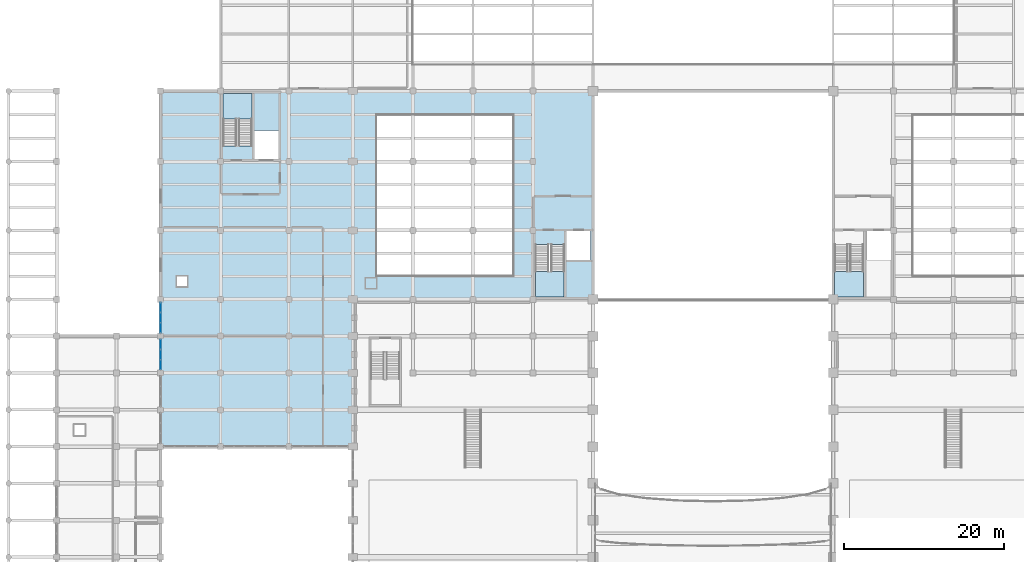
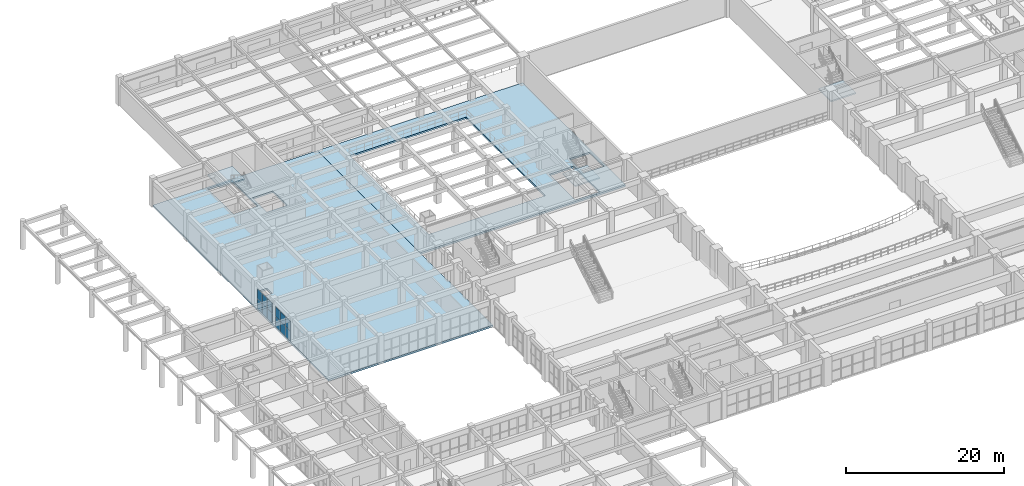
# One storey, part 89 of 116: 12 plates, 5 slabs, 5 elements without a shape of their own.
"""IFC4 building model written with IfcOpenShell, lengths in metres."""

from ifc_helpers import new_model, si_unit, direction, frame, origin, origin_2d, place, context, subcontext, project, spatial, polyline, rectangle, outline, extrude, material, layer, layer_set, type_object, element, aggregate, save


model = new_model("IFC4")

# Units and contexts
model_context = context("Model", 3, precision=1e-05, world=origin(), true_north=direction((0.0, 1.0)))
body_context = subcontext(model_context, "Body", "Model", "MODEL_VIEW")
ifc_project = project(units=[si_unit("LENGTHUNIT", "METRE"), si_unit("AREAUNIT", "SQUARE_METRE"), si_unit("VOLUMEUNIT", "CUBIC_METRE"), si_unit("PLANEANGLEUNIT", "RADIAN"), si_unit("MASSUNIT", "GRAM", prefix="KILO")], contexts=[model_context])

# Site, building, storey
site_placement = place(None, origin())
site = spatial("IfcSite", under=ifc_project, at=site_placement, CompositionType="ELEMENT")
building_placement = place(site_placement, origin())
building = spatial("IfcBuilding", under=site, at=building_placement, Name="Muzn Square Opera House", CompositionType="ELEMENT")
storey_placement = place(building_placement, frame((0.0, 0.0, 5.39990234375)))
storey = spatial("IfcBuildingStorey", under=building, at=storey_placement, Name="L01", CompositionType="ELEMENT", Elevation=5.39990234375)

# Curtain wall, plates
ifc_material_1 = material(Name="Low-E laminated acoustic double glazing", Category="glass")
ifc_layer_1 = layer(ifc_material_1, 0.159912109375, Name="Low-E laminated acoustic double glazing", Category="glass")
ifc_layer_set_1 = layer_set([ifc_layer_1], Name="Low-E laminated acoustic double glazing")
curtain_wall_type = type_object("IfcCurtainWallType", Name="Glazed Curtain Wall WestCourt 3850x3200", PredefinedType="USERDEFINED", material=ifc_layer_set_1)
curtain_wall_1_placement = place(storey_placement, origin())
curtain_wall_1 = element("IfcCurtainWall", 1, at=curtain_wall_1_placement, inside=storey, type_object=curtain_wall_type, Name="Glazed Curtain Wall CW-L01-146", ObjectType="GLAZED CURTAIN WALL", PredefinedType="USERDEFINED")
ifc_layer_2 = layer(ifc_material_1, 0.028076171875, Name="Low-E laminated acoustic double glazing", Category="glass")
ifc_layer_set_2 = layer_set([ifc_layer_2], Name="Low-E laminated acoustic double glazing")
plate_type = type_object("IfcPlateType", Name="Curtain Wall Acoustic Glazed Panel 28mm", PredefinedType="CURTAIN_PANEL", material=ifc_layer_set_2)
plate_1_placement = place(storey_placement, frame((19.0, 64.431640625, 0.06005859375), z_axis=(0.0, 0.0, 1.0), x_axis=(0.0, 1.0, 0.0)))
plate_1 = element("IfcPlate", 2, at=plate_1_placement, type_object=plate_type, Name="CW-WCT-38x32 panel 1.1", PredefinedType="CURTAIN_PANEL", context=body_context, shape_type="SweptSolid", body=[
    extrude(rectangle(XDim=1.193359375, YDim=0.028076171875, at=origin_2d()), origin(), (0.0, 0.0, 1.0), 1.510009765625),
])
plate_2_placement = place(storey_placement, frame((19.0, 64.431640625, 1.6298828125), z_axis=(0.0, 0.0, 1.0), x_axis=(0.0, 1.0, 0.0)))
plate_2 = element("IfcPlate", 3, at=plate_2_placement, type_object=plate_type, Name="CW-WCT-38x32 panel 1.2", PredefinedType="CURTAIN_PANEL", context=body_context, shape_type="SweptSolid", body=[
    extrude(rectangle(XDim=1.193359375, YDim=0.028076171875, at=origin_2d()), origin(), (0.0, 0.0, 1.0), 1.510009765625),
])
plate_3_placement = place(storey_placement, frame((19.0, 65.699951171875, 0.06005859375), z_axis=(0.0, 0.0, 1.0), x_axis=(0.0, 1.0, 0.0)))
plate_3 = element("IfcPlate", 4, at=plate_3_placement, type_object=plate_type, Name="CW-WCT-38x32 panel 2.1", PredefinedType="CURTAIN_PANEL", context=body_context, shape_type="SweptSolid", body=[
    extrude(rectangle(XDim=1.223388671875, YDim=0.028076171875, at=origin_2d()), origin(), (0.0, 0.0, 1.0), 1.510009765625),
])
plate_4_placement = place(storey_placement, frame((19.0, 65.699951171875, 1.6298828125), z_axis=(0.0, 0.0, 1.0), x_axis=(0.0, 1.0, 0.0)))
plate_4 = element("IfcPlate", 5, at=plate_4_placement, type_object=plate_type, Name="CW-WCT-38x32 panel 2.2", PredefinedType="CURTAIN_PANEL", context=body_context, shape_type="SweptSolid", body=[
    extrude(rectangle(XDim=1.223388671875, YDim=0.028076171875, at=origin_2d()), origin(), (0.0, 0.0, 1.0), 1.510009765625),
])
plate_5_placement = place(storey_placement, frame((19.0, 66.96826171875, 0.06005859375), z_axis=(0.0, 0.0, 1.0), x_axis=(0.0, 1.0, 0.0)))
plate_5 = element("IfcPlate", 6, at=plate_5_placement, type_object=plate_type, Name="CW-WCT-38x32 panel 3.1", PredefinedType="CURTAIN_PANEL", context=body_context, shape_type="SweptSolid", body=[
    extrude(rectangle(XDim=1.193359375, YDim=0.028076171875, at=origin_2d()), origin(), (0.0, 0.0, 1.0), 1.510009765625),
])
plate_6_placement = place(storey_placement, frame((19.0, 66.96826171875, 1.6298828125), z_axis=(0.0, 0.0, 1.0), x_axis=(0.0, 1.0, 0.0)))
plate_6 = element("IfcPlate", 7, at=plate_6_placement, type_object=plate_type, Name="CW-WCT-38x32 panel 3.2", PredefinedType="CURTAIN_PANEL", context=body_context, shape_type="SweptSolid", body=[
    extrude(rectangle(XDim=1.193359375, YDim=0.028076171875, at=origin_2d()), origin(), (0.0, 0.0, 1.0), 1.510009765625),
])
aggregate(curtain_wall_1, [plate_1, plate_2, plate_3, plate_4, plate_5, plate_6])

curtain_wall_2_placement = place(storey_placement, origin())
curtain_wall_2 = element("IfcCurtainWall", 8, at=curtain_wall_2_placement, inside=storey, type_object=curtain_wall_type, Name="Glazed Curtain Wall CW-L01-147", ObjectType="GLAZED CURTAIN WALL", PredefinedType="USERDEFINED")
plate_7_placement = place(storey_placement, frame((19.0, 69.03173828125, 0.06005859375), z_axis=(0.0, 0.0, 1.0), x_axis=(0.0, 1.0, 0.0)))
plate_7 = element("IfcPlate", 9, at=plate_7_placement, type_object=plate_type, Name="CW-WCT-38x32 panel 1.1", PredefinedType="CURTAIN_PANEL", context=body_context, shape_type="SweptSolid", body=[
    extrude(rectangle(XDim=1.193359375, YDim=0.028076171875, at=origin_2d()), origin(), (0.0, 0.0, 1.0), 1.510009765625),
])
plate_8_placement = place(storey_placement, frame((19.0, 69.03173828125, 1.6298828125), z_axis=(0.0, 0.0, 1.0), x_axis=(0.0, 1.0, 0.0)))
plate_8 = element("IfcPlate", 10, at=plate_8_placement, type_object=plate_type, Name="CW-WCT-38x32 panel 1.2", PredefinedType="CURTAIN_PANEL", context=body_context, shape_type="SweptSolid", body=[
    extrude(rectangle(XDim=1.193359375, YDim=0.028076171875, at=origin_2d()), origin(), (0.0, 0.0, 1.0), 1.510009765625),
])
plate_9_placement = place(storey_placement, frame((19.0, 70.300048828125, 0.06005859375), z_axis=(0.0, 0.0, 1.0), x_axis=(0.0, 1.0, 0.0)))
plate_9 = element("IfcPlate", 11, at=plate_9_placement, type_object=plate_type, Name="CW-WCT-38x32 panel 2.1", PredefinedType="CURTAIN_PANEL", context=body_context, shape_type="SweptSolid", body=[
    extrude(rectangle(XDim=1.223388671875, YDim=0.028076171875, at=origin_2d()), origin(), (0.0, 0.0, 1.0), 1.510009765625),
])
plate_10_placement = place(storey_placement, frame((19.0, 70.300048828125, 1.6298828125), z_axis=(0.0, 0.0, 1.0), x_axis=(0.0, 1.0, 0.0)))
plate_10 = element("IfcPlate", 12, at=plate_10_placement, type_object=plate_type, Name="CW-WCT-38x32 panel 2.2", PredefinedType="CURTAIN_PANEL", context=body_context, shape_type="SweptSolid", body=[
    extrude(rectangle(XDim=1.223388671875, YDim=0.028076171875, at=origin_2d()), origin(), (0.0, 0.0, 1.0), 1.510009765625),
])
plate_11_placement = place(storey_placement, frame((19.0, 71.568359375, 0.06005859375), z_axis=(0.0, 0.0, 1.0), x_axis=(0.0, 1.0, 0.0)))
plate_11 = element("IfcPlate", 13, at=plate_11_placement, type_object=plate_type, Name="CW-WCT-38x32 panel 3.1", PredefinedType="CURTAIN_PANEL", context=body_context, shape_type="SweptSolid", body=[
    extrude(rectangle(XDim=1.193359375, YDim=0.028076171875, at=origin_2d()), origin(), (0.0, 0.0, 1.0), 1.510009765625),
])
plate_12_placement = place(storey_placement, frame((19.0, 71.568359375, 1.6298828125), z_axis=(0.0, 0.0, 1.0), x_axis=(0.0, 1.0, 0.0)))
plate_12 = element("IfcPlate", 14, at=plate_12_placement, type_object=plate_type, Name="CW-WCT-38x32 panel 3.2", PredefinedType="CURTAIN_PANEL", context=body_context, shape_type="SweptSolid", body=[
    extrude(rectangle(XDim=1.193359375, YDim=0.028076171875, at=origin_2d()), origin(), (0.0, 0.0, 1.0), 1.510009765625),
])
aggregate(curtain_wall_2, [plate_7, plate_8, plate_9, plate_10, plate_11, plate_12])

# Slabs
ifc_material_2 = material(Name="Concrete C40/50", Category="concrete")
ifc_layer_3 = layer(ifc_material_2, 0.280029296875, Name="Concrete C40/50", Category="concrete")
ifc_layer_set_3 = layer_set([ifc_layer_3], Name="Concrete C40/50")
slab_type_1 = type_object("IfcSlabType", Name="Floor Slab 280mm", PredefinedType="FLOOR", material=ifc_layer_set_3)
slab_1_placement = place(storey_placement, frame((0.0, 0.0, -0.27978515625)))
element("IfcSlab", 15, at=slab_1_placement, inside=storey, type_object=slab_type_1, Name="Floor Slab SLB-L01-SIDEW", PredefinedType="FLOOR", context=body_context, shape_type="SweptSolid", body=[
    extrude(outline(polyline([(43.0, 72.60009765625), (73.0, 72.60009765625), (73.0, 98.60009765625), (43.0, 98.60009765625), (43.0, 72.60009765625)]), holes=[polyline([(46.0, 75.60009765625), (63.0, 75.60009765625), (63.0, 95.60009765625), (46.0, 95.60009765625), (46.0, 75.60009765625)]), polyline([(65.800048828125, 72.89990234375), (69.39990234375, 72.89990234375), (69.39990234375, 79.431884765625), (65.800048828125, 79.431884765625), (65.800048828125, 72.89990234375)]), polyline([(69.699951171875, 77.5), (72.699951171875, 77.5), (72.699951171875, 81.10009765625), (69.699951171875, 81.10009765625), (69.699951171875, 77.5)])]), origin(), (0.0, 0.0, 1.0), 0.27978515625),
])
slab_2_placement = place(storey_placement, frame((0.0, 0.0, -0.27978515625)))
element("IfcSlab", 16, at=slab_2_placement, inside=storey, type_object=slab_type_1, Name="Floor Slab SLB-L01-WNORTH", PredefinedType="FLOOR", context=body_context, shape_type="SweptSolid", body=[
    extrude(outline(polyline([(19.0, 54.199951171875), (43.0, 54.199951171875), (43.0, 98.60009765625), (19.0, 98.60009765625), (19.0, 54.199951171875)]), holes=[polyline([(26.800048828125, 91.76806640625), (30.39990234375, 91.76806640625), (30.39990234375, 98.300048828125), (26.800048828125, 98.300048828125), (26.800048828125, 91.76806640625)]), polyline([(30.699951171875, 90.10009765625), (33.699951171875, 90.10009765625), (33.699951171875, 93.699951171875), (30.699951171875, 93.699951171875), (30.699951171875, 90.10009765625)]), polyline([(21.0, 74.199951171875), (22.300048828125, 74.199951171875), (22.300048828125, 75.5), (21.0, 75.5), (21.0, 74.199951171875)])]), origin(), (0.0, 0.0, 1.0), 0.27978515625),
])

# Stair, slab
stair_type = type_object("IfcStairType", Name="Core Escape Dogleg Stair", PredefinedType="HALF_TURN_STAIR", material=ifc_material_2)
stair_1_placement = place(storey_placement, origin())
stair_1 = element("IfcStair", 17, at=stair_1_placement, inside=storey, type_object=stair_type, Name="L01 Escape Stair ST-1", PredefinedType="HALF_TURN_STAIR")
ifc_layer_4 = layer(ifc_material_2, 0.199951171875, Name="Concrete C40/50", Category="concrete")
ifc_layer_set_4 = layer_set([ifc_layer_4], Name="Concrete C40/50")
slab_type_2 = type_object("IfcSlabType", Name="Stair Half Landing 200mm", PredefinedType="LANDING", material=ifc_layer_set_4)
slab_3_placement = place(storey_placement, frame((0.0, 0.0, 2.0)))
slab_3 = element("IfcSlab", 18, at=slab_3_placement, type_object=slab_type_2, Name="ST-1 landing 1", PredefinedType="LANDING", context=body_context, shape_type="SweptSolid", body=[
    extrude(outline(polyline([(65.800048828125, 76.080078125), (65.800048828125, 72.89990234375), (69.39990234375, 72.89990234375), (69.39990234375, 76.080078125), (65.800048828125, 76.080078125)])), origin(), (0.0, 0.0, 1.0), 0.2001953125),
])
aggregate(stair_1, [slab_3])

stair_2_placement = place(storey_placement, origin())
stair_2 = element("IfcStair", 19, at=stair_2_placement, inside=storey, type_object=stair_type, Name="L01 Escape Stair ST-2", PredefinedType="HALF_TURN_STAIR")
slab_4_placement = place(storey_placement, frame((0.0, 0.0, 2.0)))
slab_4 = element("IfcSlab", 20, at=slab_4_placement, type_object=slab_type_2, Name="ST-2 landing 1", PredefinedType="LANDING", context=body_context, shape_type="SweptSolid", body=[
    extrude(outline(polyline([(103.169921875, 76.080078125), (103.169921875, 72.89990234375), (106.77001953125, 72.89990234375), (106.77001953125, 76.080078125), (103.169921875, 76.080078125)])), origin(), (0.0, 0.0, 1.0), 0.2001953125),
])
aggregate(stair_2, [slab_4])

stair_3_placement = place(storey_placement, origin())
stair_3 = element("IfcStair", 21, at=stair_3_placement, inside=storey, type_object=stair_type, Name="L01 Escape Stair ST-6", PredefinedType="HALF_TURN_STAIR")
slab_5_placement = place(storey_placement, frame((0.0, 0.0, 2.0)))
slab_5 = element("IfcSlab", 22, at=slab_5_placement, type_object=slab_type_2, Name="ST-6 landing 1", PredefinedType="LANDING", context=body_context, shape_type="SweptSolid", body=[
    extrude(outline(polyline([(30.39990234375, 95.1201171875), (30.39990234375, 98.300048828125), (26.800048828125, 98.300048828125), (26.800048828125, 95.1201171875), (30.39990234375, 95.1201171875)])), origin(), (0.0, 0.0, 1.0), 0.2001953125),
])
aggregate(stair_3, [slab_5])

save(model, "model.ifc")
